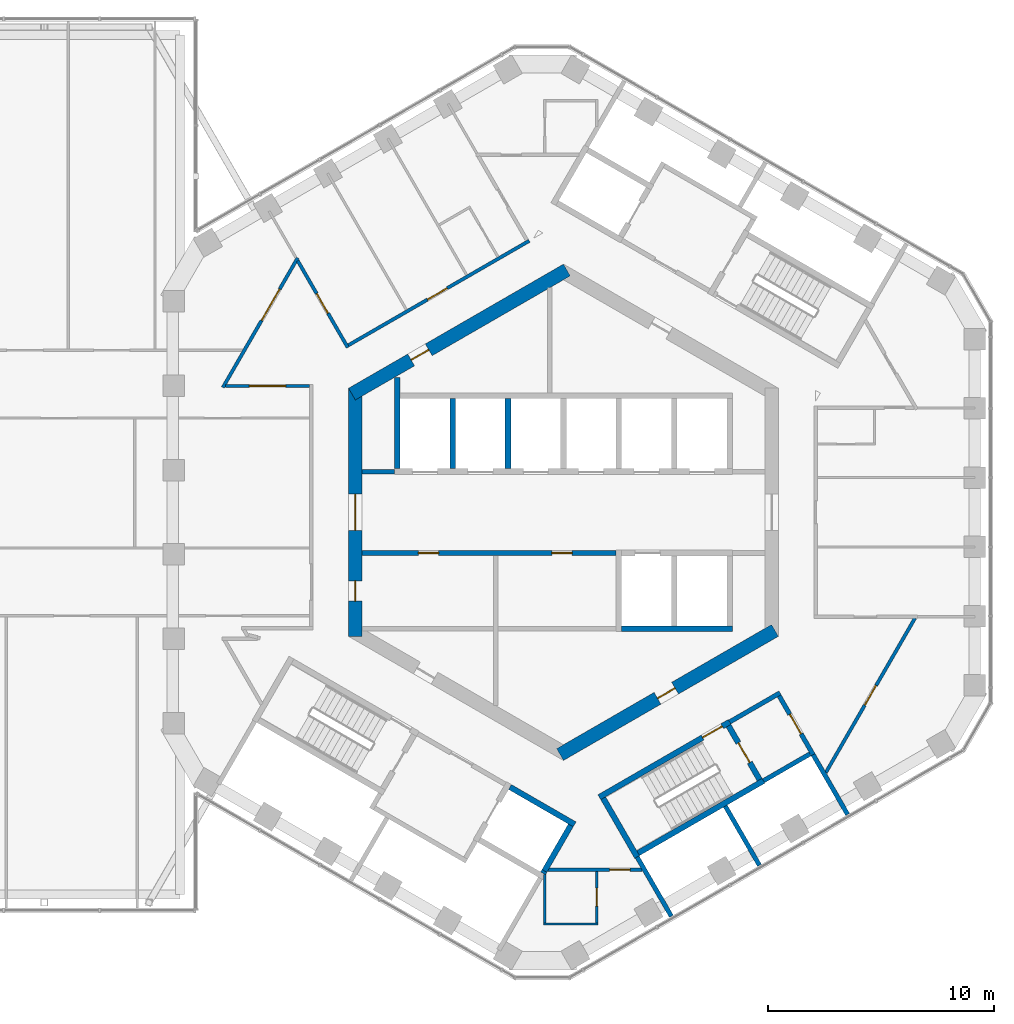
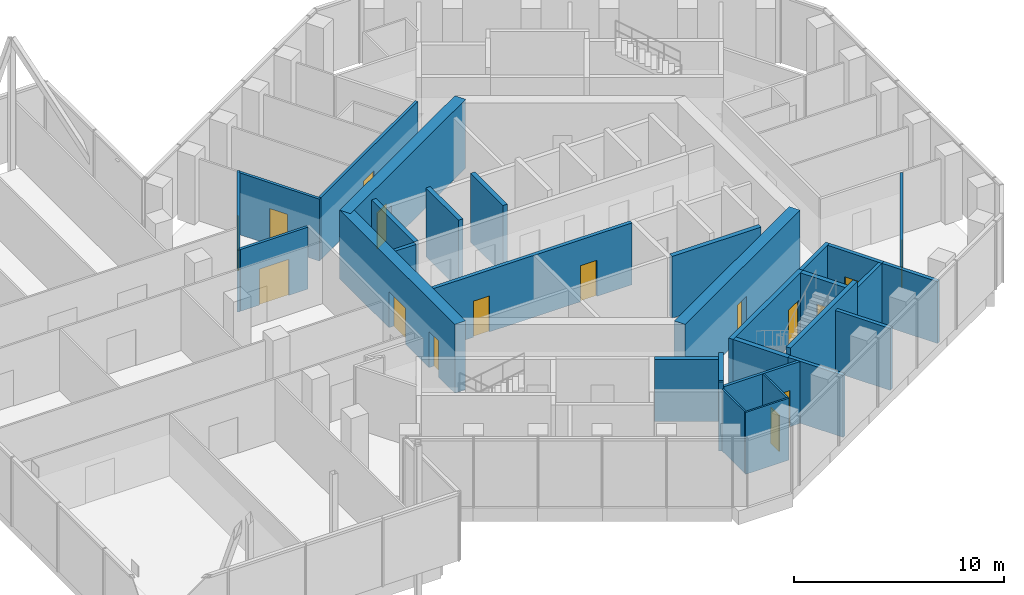
# One storey, part 16 of 21: 31 walls, 16 doors, 16 openings.
"""IFC4 building model written with IfcOpenShell, lengths in metres."""

from ifc_helpers import new_model, si_unit, direction, frame, frame_2d, origin, place, context, subcontext, project, spatial, rectangle, extrude, material, layer, layer_set, type_object, element, fill, save


model = new_model("IFC4")

# Units and contexts
model_context = context("Model", 3, precision=1e-05, world=origin(), true_north=direction((0.0, 1.0)))
body_context = subcontext(model_context, "Body", "Model", "MODEL_VIEW")
ifc_project = project(units=[si_unit("LENGTHUNIT", "METRE"), si_unit("AREAUNIT", "SQUARE_METRE"), si_unit("VOLUMEUNIT", "CUBIC_METRE"), si_unit("PLANEANGLEUNIT", "RADIAN"), si_unit("MASSUNIT", "GRAM", prefix="KILO")], contexts=[model_context])

# Site, building, storey
site_placement = place(None, origin())
site = spatial("IfcSite", under=ifc_project, at=site_placement, CompositionType="ELEMENT")
building_placement = place(site_placement, origin())
building = spatial("IfcBuilding", under=site, at=building_placement, Name="Ayvan Gate Tower", CompositionType="ELEMENT")
storey_placement = place(building_placement, frame((0.0, 0.0, 206.10009765625)))
storey = spatial("IfcBuildingStorey", under=building, at=storey_placement, Name="L55", CompositionType="ELEMENT", Elevation=206.10009765625)

# Wall, opening, door
ifc_material_1 = material(Name="Concrete C60/75", Category="concrete")
ifc_layer_1 = layer(ifc_material_1, 0.60009765625)
ifc_layer_set_1 = layer_set([ifc_layer_1], Name="Concrete C60/75")
wall_type_1 = type_object("IfcWallType", Name="Core wall 600 C60/75", PredefinedType="SHEAR", material=ifc_layer_set_1)
wall_1_placement = place(storey_placement, frame((0.14990234375, 10.7099609375, 0.0), z_axis=(0.0, 0.0, 1.0), x_axis=(-0.866023993627, -0.500002442456, 0.0)))
wall_1 = element("IfcWall", 1, at=wall_1_placement, inside=storey, type_object=wall_type_1, Name="CORE-L55-2", PredefinedType="SHEAR", context=body_context, shape_type="SweptSolid", body=[
    extrude(rectangle(XDim=10.9697265625, YDim=0.60009765625, at=frame_2d((5.48486328125, 0.0))), origin(), (0.0, 0.0, 1.0), 4.0),
])
opening_1_placement = place(wall_1_placement, frame((7.05029296875, 0.0, 0.0)))
opening_1 = element("IfcOpeningElement", 2, at=opening_1_placement, cuts=wall_1, Name="Opening L55-D47", PredefinedType="OPENING", context=body_context, shape_type="SweptSolid", body=[
    extrude(rectangle(XDim=0.89990234375, YDim=2.10009765625, at=frame_2d((0.449951171875, 1.050048828125))), frame((0.0, 0.31005859375, 0.0), z_axis=(0.0, -1.0, 0.0), x_axis=(1.0, 0.0, 0.0)), (0.0, 0.0, 1.0), 0.6201171875),
])
ifc_material_2 = material(Name="Timber door leaf", Category="wood")
door_type_1 = type_object("IfcDoorType", Name="DT-900", OperationType="NOTDEFINED", PredefinedType="DOOR", material=ifc_material_2)
door_1_placement = place(opening_1_placement, origin())
door_1 = element("IfcDoor", 3, at=door_1_placement, inside=storey, type_object=door_type_1, Name="CD-L55-47", OperationType="SINGLE_SWING_RIGHT", OverallHeight=2.10009765625, OverallWidth=0.89990234375, PredefinedType="DOOR", context=body_context, shape_type="SweptSolid", body=[
    extrude(rectangle(XDim=0.89990234375, YDim=2.10009765625, at=frame_2d((0.449951171875, 1.050048828125))), frame((0.0, 0.02490234375, 0.0), z_axis=(0.0, -1.0, 0.0), x_axis=(1.0, 0.0, 0.0)), (0.0, 0.0, 1.0), 0.050048828125),
])
fill(opening_1, door_1)

# Wall, openings, doors
wall_2_placement = place(storey_placement, frame((-9.199951171875, 5.48486328125, 0.0), z_axis=(0.0, 0.0, 1.0), x_axis=(0.0, -1.0, 0.0)))
wall_2 = element("IfcWall", 4, at=wall_2_placement, inside=storey, type_object=wall_type_1, Name="CORE-L55-3", PredefinedType="SHEAR", context=body_context, shape_type="SweptSolid", body=[
    extrude(rectangle(XDim=10.9697265625, YDim=0.60009765625, at=frame_2d((5.48486328125, 0.0))), origin(), (0.0, 0.0, 1.0), 4.0),
])
opening_2_placement = place(wall_2_placement, frame((8.51611328125, 0.0, 0.0)))
opening_2 = element("IfcOpeningElement", 5, at=opening_2_placement, cuts=wall_2, Name="Opening L55-D51", PredefinedType="OPENING", context=body_context, shape_type="SweptSolid", body=[
    extrude(rectangle(XDim=0.89990234375, YDim=2.10009765625, at=frame_2d((0.449951171875, 1.050048828125))), frame((0.0, 0.31005859375, 0.0), z_axis=(0.0, -1.0, 0.0), x_axis=(1.0, 0.0, 0.0)), (0.0, 0.0, 1.0), 0.6201171875),
])
opening_3_placement = place(wall_2_placement, frame((4.684814453125, 0.0, 0.0)))
opening_3 = element("IfcOpeningElement", 6, at=opening_3_placement, cuts=wall_2, Name="Opening L55-D53", PredefinedType="OPENING", context=body_context, shape_type="SweptSolid", body=[
    extrude(rectangle(XDim=1.60009765625, YDim=2.10009765625, at=frame_2d((0.800048828125, 1.050048828125))), frame((0.0, 0.31005859375, 0.0), z_axis=(0.0, -1.0, 0.0), x_axis=(1.0, 0.0, 0.0)), (0.0, 0.0, 1.0), 0.6201171875),
])
door_type_2 = type_object("IfcDoorType", Name="DT-1600", OperationType="NOTDEFINED", PredefinedType="DOOR", material=ifc_material_2)
door_2_placement = place(opening_3_placement, origin())
door_2 = element("IfcDoor", 7, at=door_2_placement, inside=storey, type_object=door_type_2, Name="CD-L55-53", OperationType="SINGLE_SWING_RIGHT", OverallHeight=2.10009765625, OverallWidth=1.60009765625, PredefinedType="DOOR", context=body_context, shape_type="SweptSolid", body=[
    extrude(rectangle(XDim=1.60009765625, YDim=2.10009765625, at=frame_2d((0.800048828125, 1.050048828125))), frame((0.0, 0.02490234375, 0.0), z_axis=(0.0, -1.0, 0.0), x_axis=(1.0, 0.0, 0.0)), (0.0, 0.0, 1.0), 0.050048828125),
])
fill(opening_3, door_2)
door_3_placement = place(opening_2_placement, origin())
door_3 = element("IfcDoor", 8, at=door_3_placement, inside=storey, type_object=door_type_1, Name="CD-L55-51", OperationType="SINGLE_SWING_RIGHT", OverallHeight=2.10009765625, OverallWidth=0.89990234375, PredefinedType="DOOR", context=body_context, shape_type="SweptSolid", body=[
    extrude(rectangle(XDim=0.89990234375, YDim=2.10009765625, at=frame_2d((0.449951171875, 1.050048828125))), frame((0.0, 0.02490234375, 0.0), z_axis=(0.0, -1.0, 0.0), x_axis=(1.0, 0.0, 0.0)), (0.0, 0.0, 1.0), 0.050048828125),
])
fill(opening_2, door_3)

# Wall, opening, door
wall_3_placement = place(storey_placement, frame((-0.14990234375, -10.7099609375, 0.0), z_axis=(0.0, 0.0, 1.0), x_axis=(0.866023993627, 0.500002442456, 0.0)))
wall_3 = element("IfcWall", 9, at=wall_3_placement, inside=storey, type_object=wall_type_1, Name="CORE-L55-5", PredefinedType="SHEAR", context=body_context, shape_type="SweptSolid", body=[
    extrude(rectangle(XDim=10.9697265625, YDim=0.60009765625, at=frame_2d((5.48486328125, 0.0))), origin(), (0.0, 0.0, 1.0), 4.0),
])
opening_4_placement = place(wall_3_placement, frame((4.971923828125, 0.0, 0.0)))
opening_4 = element("IfcOpeningElement", 10, at=opening_4_placement, cuts=wall_3, Name="Opening L55-D50", PredefinedType="OPENING", context=body_context, shape_type="SweptSolid", body=[
    extrude(rectangle(XDim=0.89990234375, YDim=2.10009765625, at=frame_2d((0.449951171875, 1.050048828125))), frame((0.0, 0.31005859375, 0.0), z_axis=(0.0, -1.0, 0.0), x_axis=(1.0, 0.0, 0.0)), (0.0, 0.0, 1.0), 0.6201171875),
])
door_4_placement = place(opening_4_placement, origin())
door_4 = element("IfcDoor", 11, at=door_4_placement, inside=storey, type_object=door_type_1, Name="CD-L55-50", OperationType="SINGLE_SWING_LEFT", OverallHeight=2.10009765625, OverallWidth=0.89990234375, PredefinedType="DOOR", context=body_context, shape_type="SweptSolid", body=[
    extrude(rectangle(XDim=0.89990234375, YDim=2.10009765625, at=frame_2d((0.449951171875, 1.050048828125))), frame((0.0, 0.02490234375, 0.0), z_axis=(0.0, -1.0, 0.0), x_axis=(1.0, 0.0, 0.0)), (0.0, 0.0, 1.0), 0.050048828125),
])
fill(opening_4, door_4)

ifc_material_3 = material(Name="Plasterboard on steel stud", Category="steel")
ifc_layer_2 = layer(ifc_material_3, 0.14990234375)
ifc_layer_set_2 = layer_set([ifc_layer_2], Name="Plasterboard on steel stud")
wall_type_2 = type_object("IfcWallType", Name="WT-CORR-150", PredefinedType="PARTITIONING", material=ifc_layer_set_2)
wall_4_placement = place(storey_placement, frame((-15.055419921875, 5.518798828125, 0.0), z_axis=(0.0, 0.0, 1.0), x_axis=(0.499997192861, 0.866027024481, 0.0)))
wall_4 = element("IfcWall", 12, at=wall_4_placement, inside=storey, type_object=wall_type_2, Name="IW-L55-012", PredefinedType="PARTITIONING", context=body_context, shape_type="SweptSolid", body=[
    extrude(rectangle(XDim=6.615234375, YDim=0.14990234375, at=frame_2d((3.3076171875, 0.0))), origin(), (0.0, 0.0, 1.0), 3.599853515625),
])
opening_5_placement = place(wall_4_placement, frame((3.417236328125, 0.0, 0.0)))
opening_5 = element("IfcOpeningElement", 13, at=opening_5_placement, cuts=wall_4, Name="Opening L55-D37", PredefinedType="OPENING", context=body_context, shape_type="SweptSolid", body=[
    extrude(rectangle(XDim=1.60009765625, YDim=2.10009765625, at=frame_2d((0.800048828125, 1.050048828125))), frame((0.0, 0.0849609375, 0.0), z_axis=(0.0, -1.0, 0.0), x_axis=(1.0, 0.0, 0.0)), (0.0, 0.0, 1.0), 0.169921875),
])
door_5_placement = place(opening_5_placement, origin())
door_5 = element("IfcDoor", 14, at=door_5_placement, inside=storey, type_object=door_type_2, Name="ID-L55-037", OperationType="SINGLE_SWING_RIGHT", OverallHeight=2.10009765625, OverallWidth=1.60009765625, PredefinedType="DOOR", context=body_context, shape_type="SweptSolid", body=[
    extrude(rectangle(XDim=1.60009765625, YDim=2.10009765625, at=frame_2d((0.800048828125, 1.050048828125))), frame((0.0, 0.02490234375, 0.0), z_axis=(0.0, -1.0, 0.0), x_axis=(1.0, 0.0, 0.0)), (0.0, 0.0, 1.0), 0.050048828125),
])
fill(opening_5, door_5)

wall_5_placement = place(storey_placement, frame((-11.747802734375, 11.117919921875, 0.0), z_axis=(0.0, 0.0, 1.0), x_axis=(0.499988172549, -0.866032232259, 0.0)))
wall_5 = element("IfcWall", 15, at=wall_5_placement, inside=storey, type_object=wall_type_2, Name="IW-L55-021", PredefinedType="PARTITIONING", context=body_context, shape_type="SweptSolid", body=[
    extrude(rectangle(XDim=4.42724609375, YDim=0.14990234375, at=frame_2d((2.213623046875, 0.0))), origin(), (0.0, 0.0, 1.0), 3.599853515625),
])
opening_6_placement = place(wall_5_placement, frame((1.676025390625, 0.0, 0.0)))
opening_6 = element("IfcOpeningElement", 16, at=opening_6_placement, cuts=wall_5, Name="Opening L55-D34", PredefinedType="OPENING", context=body_context, shape_type="SweptSolid", body=[
    extrude(rectangle(XDim=1.0, YDim=2.10009765625, at=frame_2d((0.5, 1.050048828125))), frame((0.0, 0.0849609375, 0.0), z_axis=(0.0, -1.0, 0.0), x_axis=(1.0, 0.0, 0.0)), (0.0, 0.0, 1.0), 0.169921875),
])
door_type_3 = type_object("IfcDoorType", Name="DT-1000", OperationType="NOTDEFINED", PredefinedType="DOOR", material=ifc_material_2)
door_6_placement = place(opening_6_placement, origin())
door_6 = element("IfcDoor", 17, at=door_6_placement, inside=storey, type_object=door_type_3, Name="ID-L55-034", OperationType="SINGLE_SWING_LEFT", OverallHeight=2.10009765625, OverallWidth=1.0, PredefinedType="DOOR", context=body_context, shape_type="SweptSolid", body=[
    extrude(rectangle(XDim=1.0, YDim=2.10009765625, at=frame_2d((0.5, 1.050048828125))), frame((0.0, 0.02490234375, 0.0), z_axis=(0.0, -1.0, 0.0), x_axis=(1.0, 0.0, 0.0)), (0.0, 0.0, 1.0), 0.050048828125),
])
fill(opening_6, door_6)

wall_6_placement = place(storey_placement, frame((-11.22509765625, 5.583740234375, 0.0), z_axis=(0.0, 0.0, 1.0), x_axis=(-1.0, 0.0, 0.0)))
wall_6 = element("IfcWall", 18, at=wall_6_placement, inside=storey, type_object=wall_type_2, Name="IW-L55-024", PredefinedType="PARTITIONING", context=body_context, shape_type="SweptSolid", body=[
    extrude(rectangle(XDim=3.7177734375, YDim=0.14990234375, at=frame_2d((1.85888671875, 0.0))), origin(), (0.0, 0.0, 1.0), 3.599853515625),
])
opening_7_placement = place(wall_6_placement, frame((1.05908203125, 0.0, 0.0)))
opening_7 = element("IfcOpeningElement", 19, at=opening_7_placement, cuts=wall_6, Name="Opening L55-D35", PredefinedType="OPENING", context=body_context, shape_type="SweptSolid", body=[
    extrude(rectangle(XDim=1.60009765625, YDim=2.10009765625, at=frame_2d((0.800048828125, 1.050048828125))), frame((0.0, 0.0849609375, 0.0), z_axis=(0.0, -1.0, 0.0), x_axis=(1.0, 0.0, 0.0)), (0.0, 0.0, 1.0), 0.169921875),
])
door_7_placement = place(opening_7_placement, origin())
door_7 = element("IfcDoor", 20, at=door_7_placement, inside=storey, type_object=door_type_2, Name="ID-L55-035", OperationType="SINGLE_SWING_RIGHT", OverallHeight=2.10009765625, OverallWidth=1.60009765625, PredefinedType="DOOR", context=body_context, shape_type="SweptSolid", body=[
    extrude(rectangle(XDim=1.60009765625, YDim=2.10009765625, at=frame_2d((0.800048828125, 1.050048828125))), frame((0.0, 0.02490234375, 0.0), z_axis=(0.0, -1.0, 0.0), x_axis=(1.0, 0.0, 0.0)), (0.0, 0.0, 1.0), 0.050048828125),
])
fill(opening_7, door_7)

wall_7_placement = place(storey_placement, frame((-9.506591796875, 7.38623046875, 0.0), z_axis=(0.0, 0.0, 1.0), x_axis=(0.866025691996, 0.499999500803, 0.0)))
wall_7 = element("IfcWall", 21, at=wall_7_placement, inside=storey, type_object=wall_type_2, Name="IW-L55-025", PredefinedType="PARTITIONING", context=body_context, shape_type="SweptSolid", body=[
    extrude(rectangle(XDim=9.22998046875, YDim=0.14990234375, at=frame_2d((4.614990234375, 0.0))), origin(), (0.0, 0.0, 1.0), 3.599853515625),
])
opening_8_placement = place(wall_7_placement, frame((4.0400390625, 0.0, 0.0)))
opening_8 = element("IfcOpeningElement", 22, at=opening_8_placement, cuts=wall_7, Name="Opening L55-D33", PredefinedType="OPENING", context=body_context, shape_type="SweptSolid", body=[
    extrude(rectangle(XDim=1.0, YDim=2.10009765625, at=frame_2d((0.5, 1.050048828125))), frame((0.0, 0.0849609375, 0.0), z_axis=(0.0, -1.0, 0.0), x_axis=(1.0, 0.0, 0.0)), (0.0, 0.0, 1.0), 0.169921875),
])
door_8_placement = place(opening_8_placement, origin())
door_8 = element("IfcDoor", 23, at=door_8_placement, inside=storey, type_object=door_type_3, Name="ID-L55-033", OperationType="SINGLE_SWING_RIGHT", OverallHeight=2.10009765625, OverallWidth=1.0, PredefinedType="DOOR", context=body_context, shape_type="SweptSolid", body=[
    extrude(rectangle(XDim=1.0, YDim=2.10009765625, at=frame_2d((0.5, 1.050048828125))), frame((0.0, 0.02490234375, 0.0), z_axis=(0.0, -1.0, 0.0), x_axis=(1.0, 0.0, 0.0)), (0.0, 0.0, 1.0), 0.050048828125),
])
fill(opening_8, door_8)

wall_8_placement = place(storey_placement, frame((-0.681884765625, -15.797607421875, 0.0), z_axis=(0.0, 0.0, 1.0), x_axis=(1.0, 0.0, 0.0)))
wall_8 = element("IfcWall", 24, at=wall_8_placement, inside=storey, type_object=wall_type_2, Name="IW-L55-066", PredefinedType="PARTITIONING", context=body_context, shape_type="SweptSolid", body=[
    extrude(rectangle(XDim=4.16015625, YDim=0.14990234375, at=frame_2d((2.080078125, 0.0))), origin(), (0.0, 0.0, 1.0), 3.599853515625),
])
opening_9_placement = place(wall_8_placement, frame((2.72412109375, 0.0, 0.0)))
opening_9 = element("IfcOpeningElement", 25, at=opening_9_placement, cuts=wall_8, Name="Opening L55-D28", PredefinedType="OPENING", context=body_context, shape_type="SweptSolid", body=[
    extrude(rectangle(XDim=0.89990234375, YDim=2.10009765625, at=frame_2d((0.449951171875, 1.050048828125))), frame((0.0, 0.0849609375, 0.0), z_axis=(0.0, -1.0, 0.0), x_axis=(1.0, 0.0, 0.0)), (0.0, 0.0, 1.0), 0.169921875),
])
door_9_placement = place(opening_9_placement, origin())
door_9 = element("IfcDoor", 26, at=door_9_placement, inside=storey, type_object=door_type_1, Name="ID-L55-028", OperationType="SINGLE_SWING_LEFT", OverallHeight=2.10009765625, OverallWidth=0.89990234375, PredefinedType="DOOR", context=body_context, shape_type="SweptSolid", body=[
    extrude(rectangle(XDim=0.89990234375, YDim=2.10009765625, at=frame_2d((0.449951171875, 1.050048828125))), frame((0.0, 0.02490234375, 0.0), z_axis=(0.0, -1.0, 0.0), x_axis=(1.0, 0.0, 0.0)), (0.0, 0.0, 1.0), 0.050048828125),
])
fill(opening_9, door_9)

wall_9_placement = place(storey_placement, frame((15.539794921875, -4.679931640625, 0.0), z_axis=(0.0, 0.0, 1.0), x_axis=(-0.500017165488, -0.866015493058, 0.0)))
wall_9 = element("IfcWall", 27, at=wall_9_placement, inside=storey, type_object=wall_type_2, Name="IW-L55-108", PredefinedType="PARTITIONING", context=body_context, shape_type="SweptSolid", body=[
    extrude(rectangle(XDim=7.887939453125, YDim=0.14990234375, at=frame_2d((3.94384765625, 0.0))), origin(), (0.0, 0.0, 1.0), 3.599853515625),
])
opening_10_placement = place(wall_9_placement, frame((3.444091796875, 0.0, 0.0)))
opening_10 = element("IfcOpeningElement", 28, at=opening_10_placement, cuts=wall_9, Name="Opening L55-D30", PredefinedType="OPENING", context=body_context, shape_type="SweptSolid", body=[
    extrude(rectangle(XDim=1.0, YDim=2.10009765625, at=frame_2d((0.5, 1.050048828125))), frame((0.0, 0.0849609375, 0.0), z_axis=(0.0, -1.0, 0.0), x_axis=(1.0, 0.0, 0.0)), (0.0, 0.0, 1.0), 0.169921875),
])
door_10_placement = place(opening_10_placement, origin())
door_10 = element("IfcDoor", 29, at=door_10_placement, inside=storey, type_object=door_type_3, Name="ID-L55-030", OperationType="SINGLE_SWING_LEFT", OverallHeight=2.10009765625, OverallWidth=1.0, PredefinedType="DOOR", context=body_context, shape_type="SweptSolid", body=[
    extrude(rectangle(XDim=1.0, YDim=2.10009765625, at=frame_2d((0.5, 1.050048828125))), frame((0.0, 0.02490234375, 0.0), z_axis=(0.0, -1.0, 0.0), x_axis=(1.0, 0.0, 0.0)), (0.0, 0.0, 1.0), 0.050048828125),
])
fill(opening_10, door_10)

# Walls
ifc_layer_3 = layer(ifc_material_3, 0.10009765625)
ifc_layer_set_3 = layer_set([ifc_layer_3], Name="Plasterboard on steel stud")
wall_type_3 = type_object("IfcWallType", Name="WT-PART-100", PredefinedType="PARTITIONING", material=ifc_layer_set_3)
wall_10_placement = place(storey_placement, frame((-0.874267578125, -18.19775390625, 0.0), z_axis=(0.0, 0.0, 1.0), x_axis=(1.0, 0.0, 0.0)))
element("IfcWall", 30, at=wall_10_placement, inside=storey, type_object=wall_type_3, Name="IW-L55-053", PredefinedType="PARTITIONING", context=body_context, shape_type="SweptSolid", body=[
    extrude(rectangle(XDim=2.39990234375, YDim=0.10009765625, at=frame_2d((1.199951171875, 0.0))), origin(), (0.0, 0.0, 1.0), 3.599853515625),
])
wall_11_placement = place(storey_placement, frame((-0.82421875, -16.0126953125, 0.0), z_axis=(0.0, 0.0, 1.0), x_axis=(0.0, -1.0, 0.0)))
element("IfcWall", 31, at=wall_11_placement, inside=storey, type_object=wall_type_3, Name="IW-L55-054", PredefinedType="PARTITIONING", context=body_context, shape_type="SweptSolid", body=[
    extrude(rectangle(XDim=2.135009765625, YDim=0.10009765625, at=frame_2d((1.0673828125, 0.0))), origin(), (0.0, 0.0, 1.0), 3.599853515625),
])

# Wall, opening, door
wall_12_placement = place(storey_placement, frame((1.4755859375, -18.147705078125, 0.0), z_axis=(0.0, 0.0, 1.0), x_axis=(0.0, 1.0, 0.0)))
wall_12 = element("IfcWall", 32, at=wall_12_placement, inside=storey, type_object=wall_type_3, Name="IW-L55-063", PredefinedType="PARTITIONING", context=body_context, shape_type="SweptSolid", body=[
    extrude(rectangle(XDim=2.27490234375, YDim=0.10009765625, at=frame_2d((1.137451171875, 0.0))), origin(), (0.0, 0.0, 1.0), 3.599853515625),
])
opening_11_placement = place(wall_12_placement, frame((0.737548828125, 0.0, 0.0)))
opening_11 = element("IfcOpeningElement", 33, at=opening_11_placement, cuts=wall_12, Name="Opening L55-D29", PredefinedType="OPENING", context=body_context, shape_type="SweptSolid", body=[
    extrude(rectangle(XDim=0.800048828125, YDim=2.10009765625, at=frame_2d((0.39990234375, 1.050048828125))), frame((0.0, 0.06005859375, 0.0), z_axis=(0.0, -1.0, 0.0), x_axis=(1.0, 0.0, 0.0)), (0.0, 0.0, 1.0), 0.1201171875),
])
door_type_4 = type_object("IfcDoorType", Name="DT-800", OperationType="NOTDEFINED", PredefinedType="DOOR", material=ifc_material_2)
door_11_placement = place(opening_11_placement, origin())
door_11 = element("IfcDoor", 34, at=door_11_placement, inside=storey, type_object=door_type_4, Name="ID-L55-029", OperationType="SINGLE_SWING_RIGHT", OverallHeight=2.10009765625, OverallWidth=0.800048828125, PredefinedType="DOOR", context=body_context, shape_type="SweptSolid", body=[
    extrude(rectangle(XDim=0.800048828125, YDim=2.10009765625, at=frame_2d((0.39990234375, 1.050048828125))), frame((0.0, 0.02490234375, 0.0), z_axis=(0.0, -1.0, 0.0), x_axis=(1.0, 0.0, 0.0)), (0.0, 0.0, 1.0), 0.050048828125),
])
fill(opening_11, door_11)

# Walls
ifc_layer_4 = layer(ifc_material_3, 0.199951171875)
ifc_layer_set_4 = layer_set([ifc_layer_4], Name="Plasterboard on steel stud")
wall_type_4 = type_object("IfcWallType", Name="WT-PLUMB-200", PredefinedType="PLUMBINGWALL", material=ifc_layer_set_4)
for number, where, z_axis, x_axis, name in (
    (35, (3.255615234375, -15.23876953125, 0.0), (0.0, 0.0, 1.0), (0.49999255039, -0.866029704776, 0.0), "IW-L55-073"),
    (36, (7.152587890625, -12.98876953125, 0.0), (0.0, 0.0, 1.0), (0.49999255039, -0.866029704776, 0.0), "IW-L55-082"),
):
    element("IfcWall", number, at=place(storey_placement, frame(where, z_axis=z_axis, x_axis=x_axis)), inside=storey, type_object=wall_type_4, Name=name, PredefinedType="PLUMBINGWALL", context=body_context, shape_type="SweptSolid", body=[
        extrude(rectangle(XDim=3.025390625, YDim=0.199951171875, at=frame_2d((1.5126953125, 0.0))), origin(), (0.0, 0.0, 1.0), 3.599853515625),
    ])
wall_13_placement = place(storey_placement, frame((11.037353515625, -10.71728515625, 0.0), z_axis=(0.0, 0.0, 1.0), x_axis=(0.500004207291, -0.86602297469, 0.0)))
element("IfcWall", 37, at=wall_13_placement, inside=storey, type_object=wall_type_4, Name="IW-L55-094", PredefinedType="PLUMBINGWALL", context=body_context, shape_type="SweptSolid", body=[
    extrude(rectangle(XDim=3.05029296875, YDim=0.199951171875, at=frame_2d((1.525146484375, 0.0))), origin(), (0.0, 0.0, 1.0), 3.599853515625),
])
wall_14_placement = place(storey_placement, frame((10.900634765625, -10.6806640625, 0.0), z_axis=(0.0, 0.0, 1.0), x_axis=(-0.866007538022, -0.500030943131, 0.0)))
element("IfcWall", 38, at=wall_14_placement, inside=storey, type_object=wall_type_4, Name="IW-L55-095", PredefinedType="PLUMBINGWALL", context=body_context, shape_type="SweptSolid", body=[
    extrude(rectangle(XDim=2.374755859375, YDim=0.199951171875, at=frame_2d((1.1875, 0.0))), origin(), (0.0, 0.0, 1.0), 3.599853515625),
])
ifc_layer_5 = layer(ifc_material_3, 0.199951171875)
ifc_layer_set_5 = layer_set([ifc_layer_5], Name="Plasterboard on steel stud")
wall_type_5 = type_object("IfcWallType", Name="WT-RATED-200", PredefinedType="PARTITIONING", material=ifc_layer_set_5)
wall_15_placement = place(storey_placement, frame((-8.89990234375, 1.800048828125, 0.0), z_axis=(0.0, 0.0, 1.0), x_axis=(1.0, 0.0, 0.0)))
element("IfcWall", 39, at=wall_15_placement, inside=storey, type_object=wall_type_5, Name="IW-L55-026", PredefinedType="PARTITIONING", context=body_context, shape_type="SweptSolid", body=[
    extrude(rectangle(XDim=1.425048828125, YDim=0.199951171875, at=frame_2d((0.71240234375, 0.0))), origin(), (0.0, 0.0, 1.0), 3.599853515625),
])

# Wall, openings, doors
wall_16_placement = place(storey_placement, frame((-8.89990234375, -1.800048828125, 0.0), z_axis=(0.0, 0.0, 1.0), x_axis=(1.0, 0.0, 0.0)))
wall_16 = element("IfcWall", 40, at=wall_16_placement, inside=storey, type_object=wall_type_5, Name="IW-L55-045", PredefinedType="PARTITIONING", context=body_context, shape_type="SweptSolid", body=[
    extrude(rectangle(XDim=11.22509765625, YDim=0.199951171875, at=frame_2d((5.612548828125, 0.0))), origin(), (0.0, 0.0, 1.0), 3.599853515625),
])
opening_12_placement = place(wall_16_placement, frame((2.485107421875, 0.0, 0.0)))
opening_12 = element("IfcOpeningElement", 41, at=opening_12_placement, cuts=wall_16, Name="Opening L55-D08", PredefinedType="OPENING", context=body_context, shape_type="SweptSolid", body=[
    extrude(rectangle(XDim=0.89990234375, YDim=2.10009765625, at=frame_2d((0.449951171875, 1.050048828125))), frame((0.0, 0.10986328125, 0.0), z_axis=(0.0, -1.0, 0.0), x_axis=(1.0, 0.0, 0.0)), (0.0, 0.0, 1.0), 0.219970703125),
])
opening_13_placement = place(wall_16_placement, frame((8.387451171875, 0.0, 0.0)))
opening_13 = element("IfcOpeningElement", 42, at=opening_13_placement, cuts=wall_16, Name="Opening L55-D09", PredefinedType="OPENING", context=body_context, shape_type="SweptSolid", body=[
    extrude(rectangle(XDim=0.89990234375, YDim=2.10009765625, at=frame_2d((0.449951171875, 1.050048828125))), frame((0.0, 0.10986328125, 0.0), z_axis=(0.0, -1.0, 0.0), x_axis=(1.0, 0.0, 0.0)), (0.0, 0.0, 1.0), 0.219970703125),
])
door_12_placement = place(opening_12_placement, origin())
door_12 = element("IfcDoor", 43, at=door_12_placement, inside=storey, type_object=door_type_1, Name="ID-L55-008", OperationType="SINGLE_SWING_LEFT", OverallHeight=2.10009765625, OverallWidth=0.89990234375, PredefinedType="DOOR", context=body_context, shape_type="SweptSolid", body=[
    extrude(rectangle(XDim=0.89990234375, YDim=2.10009765625, at=frame_2d((0.449951171875, 1.050048828125))), frame((0.0, 0.02490234375, 0.0), z_axis=(0.0, -1.0, 0.0), x_axis=(1.0, 0.0, 0.0)), (0.0, 0.0, 1.0), 0.050048828125),
])
fill(opening_12, door_12)
door_13_placement = place(opening_13_placement, origin())
door_13 = element("IfcDoor", 44, at=door_13_placement, inside=storey, type_object=door_type_1, Name="ID-L55-009", OperationType="SINGLE_SWING_RIGHT", OverallHeight=2.10009765625, OverallWidth=0.89990234375, PredefinedType="DOOR", context=body_context, shape_type="SweptSolid", body=[
    extrude(rectangle(XDim=0.89990234375, YDim=2.10009765625, at=frame_2d((0.449951171875, 1.050048828125))), frame((0.0, 0.02490234375, 0.0), z_axis=(0.0, -1.0, 0.0), x_axis=(1.0, 0.0, 0.0)), (0.0, 0.0, 1.0), 0.050048828125),
])
fill(opening_13, door_13)

# Wall
wall_17_placement = place(storey_placement, frame((7.343994140625, -9.27001953125, 0.0), z_axis=(0.0, 0.0, 1.0), x_axis=(0.866005588531, 0.500034319456, 0.0)))
element("IfcWall", 45, at=wall_17_placement, inside=storey, type_object=wall_type_5, Name="IW-L55-085", PredefinedType="PARTITIONING", context=body_context, shape_type="SweptSolid", body=[
    extrude(rectangle(XDim=2.574951171875, YDim=0.199951171875, at=frame_2d((1.28759765625, 0.0))), origin(), (0.0, 0.0, 1.0), 3.599853515625),
])

# Wall, opening, door
wall_18_placement = place(storey_placement, frame((9.537353515625, -8.119140625, 0.0), z_axis=(0.0, 0.0, 1.0), x_axis=(0.499990139034, -0.866031096941, 0.0)))
wall_18 = element("IfcWall", 46, at=wall_18_placement, inside=storey, type_object=wall_type_5, Name="IW-L55-093", PredefinedType="PARTITIONING", context=body_context, shape_type="SweptSolid", body=[
    extrude(rectangle(XDim=3.0, YDim=0.199951171875, at=frame_2d((1.5, 0.0))), origin(), (0.0, 0.0, 1.0), 3.599853515625),
])
opening_14_placement = place(wall_18_placement, frame((0.93505859375, 0.0, 0.0)))
opening_14 = element("IfcOpeningElement", 47, at=opening_14_placement, cuts=wall_18, Name="Opening L55-D19", PredefinedType="OPENING", context=body_context, shape_type="SweptSolid", body=[
    extrude(rectangle(XDim=1.0, YDim=2.10009765625, at=frame_2d((0.5, 1.050048828125))), frame((0.0, 0.10986328125, 0.0), z_axis=(0.0, -1.0, 0.0), x_axis=(1.0, 0.0, 0.0)), (0.0, 0.0, 1.0), 0.219970703125),
])
door_14_placement = place(opening_14_placement, origin())
door_14 = element("IfcDoor", 48, at=door_14_placement, inside=storey, type_object=door_type_3, Name="ID-L55-019", OperationType="SINGLE_SWING_RIGHT", OverallHeight=2.10009765625, OverallWidth=1.0, PredefinedType="DOOR", context=body_context, shape_type="SweptSolid", body=[
    extrude(rectangle(XDim=1.0, YDim=2.10009765625, at=frame_2d((0.5, 1.050048828125))), frame((0.0, 0.02490234375, 0.0), z_axis=(0.0, -1.0, 0.0), x_axis=(1.0, 0.0, 0.0)), (0.0, 0.0, 1.0), 0.050048828125),
])
fill(opening_14, door_14)

# Walls
ifc_material_4 = material(Name="Concrete C50/60", Category="concrete")
ifc_layer_6 = layer(ifc_material_4, 0.25)
ifc_layer_set_6 = layer_set([ifc_layer_6], Name="Concrete C50/60")
wall_type_6 = type_object("IfcWallType", Name="WT-RC-250", PredefinedType="SHEAR", material=ifc_layer_set_6)
wall_19_placement = place(storey_placement, frame((-7.35009765625, 1.925048828125, 0.0), z_axis=(0.0, 0.0, 1.0), x_axis=(0.0, 1.0, 0.0)))
element("IfcWall", 49, at=wall_19_placement, inside=storey, type_object=wall_type_6, Name="IW-L55-033", PredefinedType="SHEAR", context=body_context, shape_type="SweptSolid", body=[
    extrude(rectangle(XDim=4.0361328125, YDim=0.25, at=frame_2d((2.01806640625, 0.0))), origin(), (0.0, 0.0, 1.0), 3.599853515625),
])
wall_20_placement = place(storey_placement, frame((-4.89990234375, 5.02490234375, 0.0), z_axis=(0.0, 0.0, 1.0), x_axis=(0.0, -1.0, 0.0)))
element("IfcWall", 50, at=wall_20_placement, inside=storey, type_object=wall_type_6, Name="IW-L55-039", PredefinedType="SHEAR", context=body_context, shape_type="SweptSolid", body=[
    extrude(rectangle(XDim=3.099853515625, YDim=0.25, at=frame_2d((1.5498046875, 0.0))), origin(), (0.0, 0.0, 1.0), 4.0),
])
wall_21_placement = place(storey_placement, frame((-2.3642578125, -12.14501953125, 0.0), z_axis=(0.0, 0.0, 1.0), x_axis=(0.866040211805, -0.499974350878, 0.0)))
element("IfcWall", 51, at=wall_21_placement, inside=storey, type_object=wall_type_6, Name="IW-L55-048", PredefinedType="SHEAR", context=body_context, shape_type="SweptSolid", body=[
    extrude(rectangle(XDim=3.300048828125, YDim=0.25, at=frame_2d((1.64990234375, 0.0))), origin(), (0.0, 0.0, 1.0), 3.599853515625),
])
wall_22_placement = place(storey_placement, frame((-2.449951171875, 5.02490234375, 0.0), z_axis=(0.0, 0.0, 1.0), x_axis=(0.0, -1.0, 0.0)))
element("IfcWall", 52, at=wall_22_placement, inside=storey, type_object=wall_type_6, Name="IW-L55-049", PredefinedType="SHEAR", context=body_context, shape_type="SweptSolid", body=[
    extrude(rectangle(XDim=3.099853515625, YDim=0.25, at=frame_2d((1.5498046875, 0.0))), origin(), (0.0, 0.0, 1.0), 4.0),
])
wall_23_placement = place(storey_placement, frame((-0.839111328125, -15.853515625, 0.0), z_axis=(0.0, 0.0, 1.0), x_axis=(-0.500730218626, -0.865603401191, 0.0)))
element("IfcWall", 53, at=wall_23_placement, inside=storey, type_object=wall_type_6, Name="IW-L55-056", PredefinedType="SHEAR", context=body_context, shape_type="SweptSolid", body=[
    extrude(rectangle(XDim=0.125732421875, YDim=0.25, at=frame_2d((0.06298828125, 0.0))), origin(), (0.0, 0.0, 1.0), 4.0),
])
wall_24_placement = place(storey_placement, frame((0.322998046875, -13.8408203125, 0.0), z_axis=(0.0, 0.0, 1.0), x_axis=(-0.500030198396, -0.86600796803, 0.0)))
element("IfcWall", 54, at=wall_24_placement, inside=storey, type_object=wall_type_6, Name="IW-L55-060", PredefinedType="SHEAR", context=body_context, shape_type="SweptSolid", body=[
    extrude(rectangle(XDim=2.334716796875, YDim=0.25, at=frame_2d((1.16748046875, 0.0))), origin(), (0.0, 0.0, 1.0), 4.0),
])

# Wall, opening, door
wall_25_placement = place(storey_placement, frame((1.584716796875, -12.594970703125, 0.0), z_axis=(0.0, 0.0, 1.0), x_axis=(0.866036417653, 0.499980922934, 0.0)))
wall_25 = element("IfcWall", 55, at=wall_25_placement, inside=storey, type_object=wall_type_6, Name="IW-L55-067", PredefinedType="SHEAR", context=body_context, shape_type="SweptSolid", body=[
    extrude(rectangle(XDim=6.650146484375, YDim=0.25, at=frame_2d((3.3251953125, 0.0))), origin(), (0.0, 0.0, 1.0), 3.599853515625),
])
opening_15_placement = place(wall_25_placement, frame((5.27490234375, 0.0, 0.0)))
opening_15 = element("IfcOpeningElement", 56, at=opening_15_placement, cuts=wall_25, Name="Opening L55-D18", PredefinedType="OPENING", context=body_context, shape_type="SweptSolid", body=[
    extrude(rectangle(XDim=1.0, YDim=2.10009765625, at=frame_2d((0.5, 1.050048828125))), frame((0.0, 0.135009765625, 0.0), z_axis=(0.0, -1.0, 0.0), x_axis=(1.0, 0.0, 0.0)), (0.0, 0.0, 1.0), 0.27001953125),
])
door_15_placement = place(opening_15_placement, origin())
door_15 = element("IfcDoor", 57, at=door_15_placement, inside=storey, type_object=door_type_3, Name="ID-L55-018", OperationType="SINGLE_SWING_LEFT", OverallHeight=2.10009765625, OverallWidth=1.0, PredefinedType="DOOR", context=body_context, shape_type="SweptSolid", body=[
    extrude(rectangle(XDim=1.0, YDim=2.10009765625, at=frame_2d((0.5, 1.050048828125))), frame((0.0, 0.02490234375, 0.0), z_axis=(0.0, -1.0, 0.0), x_axis=(1.0, 0.0, 0.0)), (0.0, 0.0, 1.0), 0.050048828125),
])
fill(opening_15, door_15)

# Walls
wall_26_placement = place(storey_placement, frame((3.255615234375, -15.23876953125, 0.0), z_axis=(0.0, 0.0, 1.0), x_axis=(-0.50002537861, 0.866010750942, 0.0)))
element("IfcWall", 58, at=wall_26_placement, inside=storey, type_object=wall_type_6, Name="IW-L55-072", PredefinedType="SHEAR", context=body_context, shape_type="SweptSolid", body=[
    extrude(rectangle(XDim=2.999755859375, YDim=0.25, at=frame_2d((1.5, 0.0))), origin(), (0.0, 0.0, 1.0), 3.599853515625),
])
wall_27_placement = place(storey_placement, frame((2.574951171875, -5.14990234375, 0.0), z_axis=(0.0, 0.0, 1.0), x_axis=(1.0, 0.0, 0.0)))
element("IfcWall", 59, at=wall_27_placement, inside=storey, type_object=wall_type_6, Name="IW-L55-076", PredefinedType="SHEAR", context=body_context, shape_type="SweptSolid", body=[
    extrude(rectangle(XDim=4.900146484375, YDim=0.25, at=frame_2d((2.4501953125, 0.0))), origin(), (0.0, 0.0, 1.0), 3.599853515625),
])
wall_28_placement = place(storey_placement, frame((3.30126953125, -15.068115234375, 0.0), z_axis=(0.0, 0.0, 1.0), x_axis=(0.866035036182, 0.499983315828, 0.0)))
element("IfcWall", 60, at=wall_28_placement, inside=storey, type_object=wall_type_6, Name="IW-L55-083", PredefinedType="SHEAR", context=body_context, shape_type="SweptSolid", body=[
    extrude(rectangle(XDim=6.400146484375, YDim=0.25, at=frame_2d((3.2001953125, 0.0))), origin(), (0.0, 0.0, 1.0), 4.0),
])

# Wall, opening, door
wall_29_placement = place(storey_placement, frame((7.298095703125, -9.44091796875, 0.0), z_axis=(0.0, 0.0, 1.0), x_axis=(0.500034990121, -0.866005201286, 0.0)))
wall_29 = element("IfcWall", 61, at=wall_29_placement, inside=storey, type_object=wall_type_6, Name="IW-L55-084", PredefinedType="SHEAR", context=body_context, shape_type="SweptSolid", body=[
    extrude(rectangle(XDim=2.749755859375, YDim=0.25, at=frame_2d((1.375, 0.0))), origin(), (0.0, 0.0, 1.0), 3.599853515625),
])
opening_16_placement = place(wall_29_placement, frame((0.875, 0.0, 0.0)))
opening_16 = element("IfcOpeningElement", 62, at=opening_16_placement, cuts=wall_29, Name="Opening L55-D20", PredefinedType="OPENING", context=body_context, shape_type="SweptSolid", body=[
    extrude(rectangle(XDim=1.0, YDim=2.10009765625, at=frame_2d((0.5, 1.050048828125))), frame((0.0, 0.135009765625, 0.0), z_axis=(0.0, -1.0, 0.0), x_axis=(1.0, 0.0, 0.0)), (0.0, 0.0, 1.0), 0.27001953125),
])
door_16_placement = place(opening_16_placement, origin())
door_16 = element("IfcDoor", 63, at=door_16_placement, inside=storey, type_object=door_type_3, Name="ID-L55-020", OperationType="SINGLE_SWING_LEFT", OverallHeight=2.10009765625, OverallWidth=1.0, PredefinedType="DOOR", context=body_context, shape_type="SweptSolid", body=[
    extrude(rectangle(XDim=1.0, YDim=2.10009765625, at=frame_2d((0.5, 1.050048828125))), frame((0.0, 0.02490234375, 0.0), z_axis=(0.0, -1.0, 0.0), x_axis=(1.0, 0.0, 0.0)), (0.0, 0.0, 1.0), 0.050048828125),
])
fill(opening_16, door_16)

save(model, "model.ifc")
